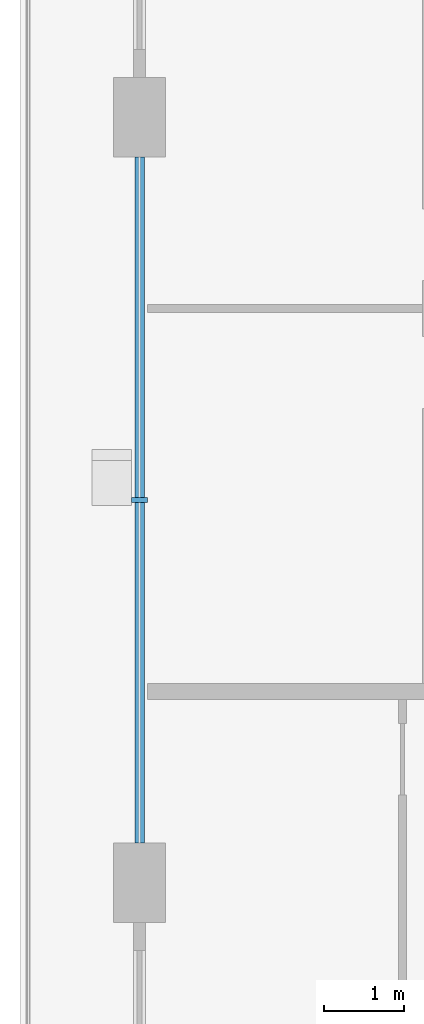
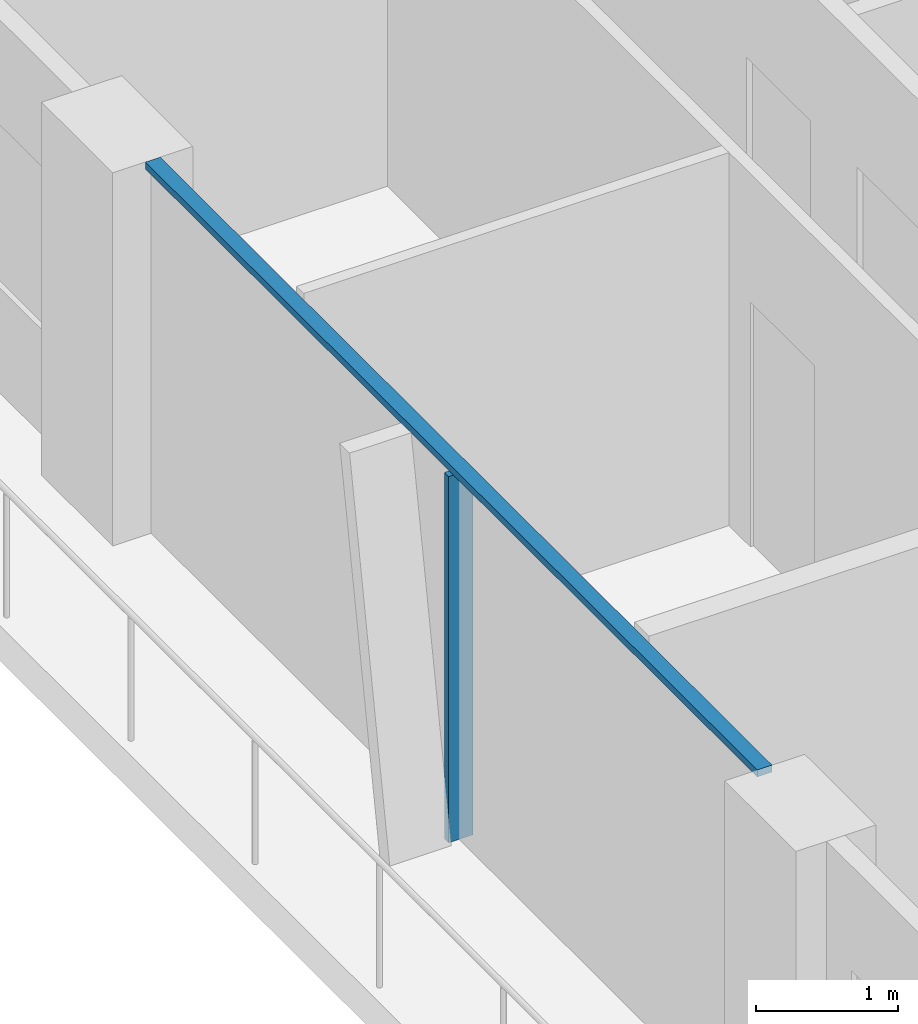
# One storey, part 3 of 21: 2 members, 1 element without a shape of its own.
"""IFC4 building model written with IfcOpenShell, lengths in metres."""

from ifc_helpers import new_model, si_unit, direction, frame, origin, origin_2d, place, context, subcontext, project, spatial, rectangle, extrude, material, layer, layer_set, material_profile, profile_set, type_object, element, aggregate, save


model = new_model("IFC4")

# Units and contexts
model_context = context("Model", 3, precision=1e-05, world=origin(), true_north=direction((0.0, 1.0)))
body_context = subcontext(model_context, "Body", "Model", "MODEL_VIEW")
ifc_project = project(units=[si_unit("LENGTHUNIT", "METRE"), si_unit("AREAUNIT", "SQUARE_METRE"), si_unit("VOLUMEUNIT", "CUBIC_METRE"), si_unit("PLANEANGLEUNIT", "RADIAN"), si_unit("MASSUNIT", "GRAM", prefix="KILO")], contexts=[model_context])

# Site, building, storey
site_placement = place(None, origin())
site = spatial("IfcSite", under=ifc_project, at=site_placement, CompositionType="ELEMENT")
building_placement = place(site_placement, origin())
building = spatial("IfcBuilding", under=site, at=building_placement, Name="Madar Terraces", CompositionType="ELEMENT")
storey_placement = place(building_placement, frame((0.0, 0.0, 196.39990234375)))
storey = spatial("IfcBuildingStorey", under=building, at=storey_placement, Name="L51", CompositionType="ELEMENT", Elevation=196.39990234375)

# Curtain wall, members
ifc_material_1 = material(Name="Glass, ceramic frit dark grey, with black aluminium frame", Category="aluminium")
ifc_layer = layer(ifc_material_1, 0.199951171875)
ifc_layer_set = layer_set([ifc_layer], Name="Facade curtain wall, fritted glass")
curtain_wall_type = type_object("IfcCurtainWallType", Name="Facade curtain wall, fritted glass", PredefinedType="NOTDEFINED", material=ifc_layer_set)
curtain_wall_placement = place(storey_placement, origin())
curtain_wall = element("IfcCurtainWall", 1, at=curtain_wall_placement, inside=storey, type_object=curtain_wall_type, Name="Outer skin curtain wall west bay 2", PredefinedType="NOTDEFINED")
ifc_material_2 = material(Name="Aluminium, black anodised", Category="aluminium")
ifc_material_profile_1 = material_profile(ifc_material_2, rectangle(XDim=0.199951171875, YDim=0.06005859375, at=origin_2d()), Name="Facade mullion 60x200")
ifc_profile_set_1 = profile_set([ifc_material_profile_1], Name="Aluminium, black anodised")
member_type_1 = type_object("IfcMemberType", Name="Facade mullion 60x200", PredefinedType="MULLION", material=ifc_profile_set_1)
member_1_placement = place(storey_placement, frame((4.800048828125, 28.800048828125, 0.0), z_axis=(0.0, 0.0, 1.0), x_axis=(1.0, 0.0, 0.0)))
member_1 = element("IfcMember", 2, at=member_1_placement, type_object=member_type_1, Name="Mullion 1", PredefinedType="MULLION", context=body_context, shape_type="SweptSolid", body=[
    extrude(rectangle(XDim=0.199951171875, YDim=0.06005859375, at=origin_2d()), origin(), (0.0, 0.0, 1.0), 3.14013671875),
])
ifc_material_3 = material(Name="Aluminium, black anodised", Category="aluminium")
ifc_material_profile_2 = material_profile(ifc_material_3, rectangle(XDim=0.1201171875, YDim=0.06005859375, at=origin_2d()), Name="Facade transom 60x120")
ifc_profile_set_2 = profile_set([ifc_material_profile_2], Name="Aluminium, black anodised")
member_type_2 = type_object("IfcMemberType", Name="Facade transom 60x120", PredefinedType="USERDEFINED", material=ifc_profile_set_2)
member_2_placement = place(storey_placement, frame((4.800048828125, 33.10009765625, 3.170166015625), z_axis=(0.0, -1.0, 0.0), x_axis=(1.0, 0.0, 0.0)))
member_2 = element("IfcMember", 3, at=member_2_placement, type_object=member_type_2, Name="Transom 1", ObjectType="TRANSOM", PredefinedType="USERDEFINED", context=body_context, shape_type="SweptSolid", body=[
    extrude(rectangle(XDim=0.1201171875, YDim=0.06005859375, at=origin_2d()), origin(), (0.0, 0.0, 1.0), 8.60009765625),
])
aggregate(curtain_wall, [member_1, member_2])

save(model, "model.ifc")
